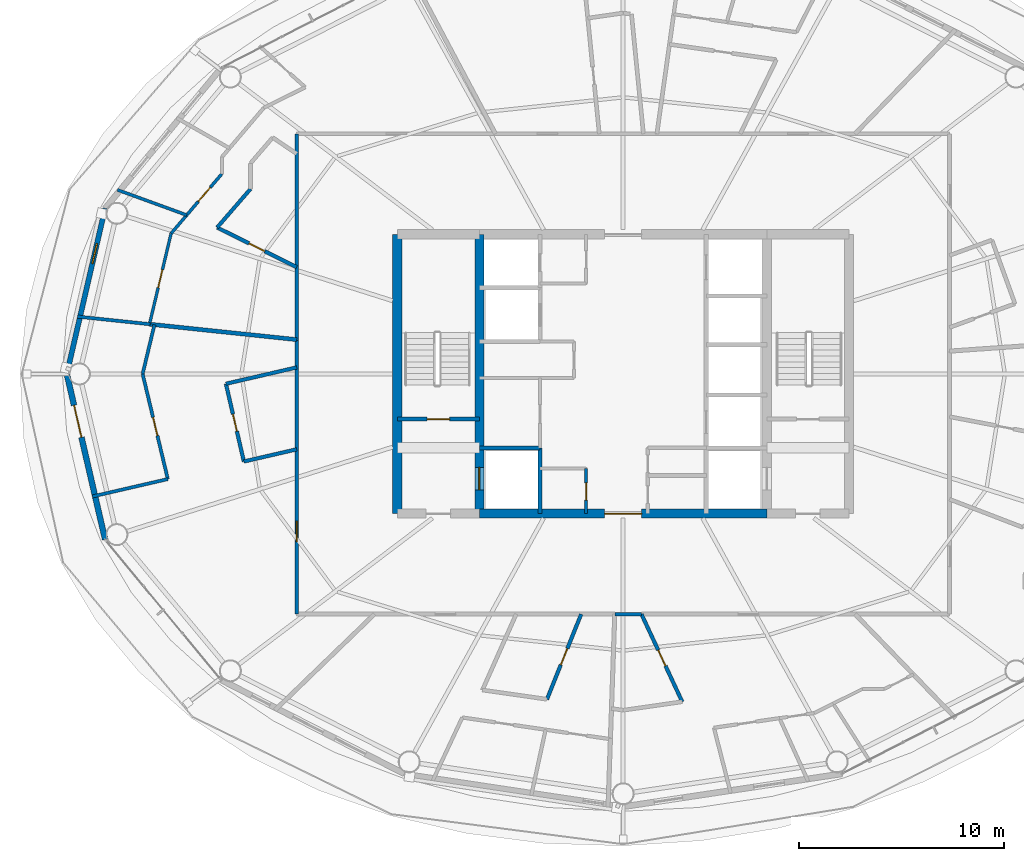
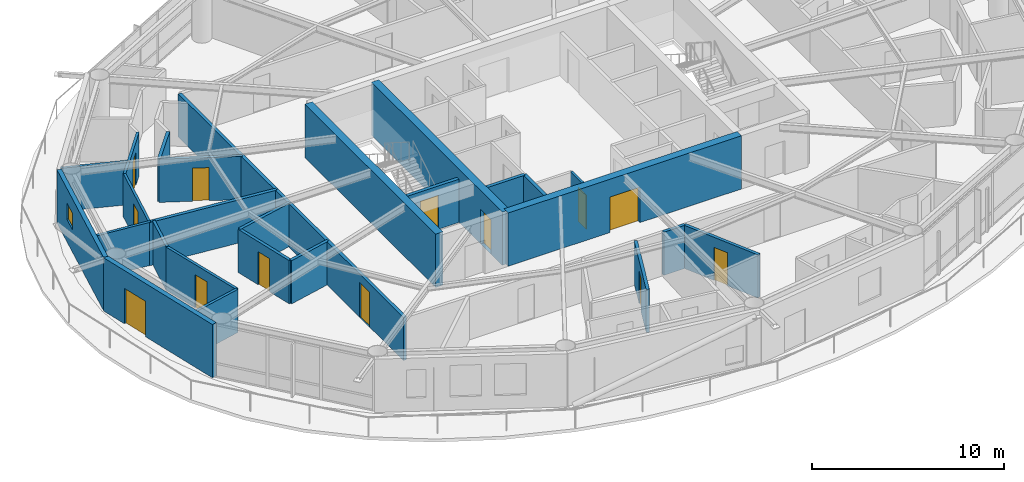
# One storey, part 21 of 28: 27 walls, 13 doors, 1 window, 14 openings.
"""IFC4 building model written with IfcOpenShell, lengths in metres."""

from ifc_helpers import new_model, si_unit, direction, frame, frame_2d, origin, place, context, subcontext, project, spatial, rectangle, extrude, material, layer, layer_set, type_object, element, fill, save


model = new_model("IFC4")

# Units and contexts
model_context = context("Model", 3, precision=1e-05, world=origin(), true_north=direction((0.0, 1.0)))
body_context = subcontext(model_context, "Body", "Model", "MODEL_VIEW")
ifc_project = project(units=[si_unit("LENGTHUNIT", "METRE"), si_unit("AREAUNIT", "SQUARE_METRE"), si_unit("VOLUMEUNIT", "CUBIC_METRE"), si_unit("PLANEANGLEUNIT", "RADIAN"), si_unit("MASSUNIT", "GRAM", prefix="KILO")], contexts=[model_context])

# Site, building, storey
site_placement = place(None, origin())
site = spatial("IfcSite", under=ifc_project, at=site_placement, CompositionType="ELEMENT")
building_placement = place(site_placement, origin())
building = spatial("IfcBuilding", under=site, at=building_placement, Name="Sarneth Arch Tower", CompositionType="ELEMENT")
storey_placement = place(building_placement, frame((0.0, 0.0, 154.199951171875)))
storey = spatial("IfcBuildingStorey", under=building, at=storey_placement, Name="L38", CompositionType="ELEMENT", Elevation=154.199951171875)

# Wall, opening, door
ifc_material_1 = material(Name="Concrete C50/60", Category="concrete")
ifc_layer_1 = layer(ifc_material_1, 0.449951171875)
ifc_layer_set_1 = layer_set([ifc_layer_1], Name="Concrete C50/60")
wall_type_1 = type_object("IfcWallType", Name="WALL-CORE-450", PredefinedType="SHEAR", material=ifc_layer_set_1)
wall_1_placement = place(storey_placement, frame((41.0, 35.199951171875, 0.0), z_axis=(0.0, 0.0, 1.0), x_axis=(1.0, 0.0, 0.0)))
wall_1 = element("IfcWall", 1, at=wall_1_placement, inside=storey, type_object=wall_type_1, Name="L38 Core shear wall S-M", PredefinedType="SHEAR", context=body_context, shape_type="SweptSolid", body=[
    extrude(rectangle(XDim=14.0, YDim=0.449951171875, at=frame_2d((7.0, 0.0))), origin(), (0.0, 0.0, 1.0), 3.380126953125),
])
opening_1_placement = place(wall_1_placement, frame((6.10009765625, 0.0, 0.0)))
opening_1 = element("IfcOpeningElement", 2, at=opening_1_placement, cuts=wall_1, Name="Opening FD-01", PredefinedType="OPENING", context=body_context, shape_type="SweptSolid", body=[
    extrude(rectangle(XDim=1.800048828125, YDim=2.25, at=frame_2d((0.89990234375, 1.125))), frame((0.0, 0.23486328125, 0.0), z_axis=(0.0, -1.0, 0.0), x_axis=(1.0, 0.0, 0.0)), (0.0, 0.0, 1.0), 0.469970703125),
])
ifc_material_2 = material(Name="Galvanised Steel S275 fire door set", Category="steel")
door_type_1 = type_object("IfcDoorType", Name="DR-FD90-1800", OperationType="DOUBLE_DOOR_SINGLE_SWING", PredefinedType="DOOR", material=ifc_material_2)
door_1_placement = place(opening_1_placement, origin())
door_1 = element("IfcDoor", 3, at=door_1_placement, inside=storey, type_object=door_type_1, Name="L38 Central lift lobby south door", OperationType="DOUBLE_DOOR_SINGLE_SWING", OverallHeight=2.25, OverallWidth=1.800048828125, PredefinedType="DOOR", context=body_context, shape_type="SweptSolid", body=[
    extrude(rectangle(XDim=1.800048828125, YDim=2.25, at=frame_2d((0.89990234375, 1.125))), frame((0.0, 0.02490234375, 0.0), z_axis=(0.0, -1.0, 0.0), x_axis=(1.0, 0.0, 0.0)), (0.0, 0.0, 1.0), 0.050048828125),
])
fill(opening_1, door_1)

# Wall
wall_2_placement = place(storey_placement, frame((37.0, 35.199951171875, 0.0), z_axis=(0.0, 0.0, 1.0), x_axis=(0.0, 1.0, 0.0)))
element("IfcWall", 4, at=wall_2_placement, inside=storey, type_object=wall_type_1, Name="L38 Core shear wall W", PredefinedType="SHEAR", context=body_context, shape_type="SweptSolid", body=[
    extrude(rectangle(XDim=13.60009765625, YDim=0.449951171875, at=frame_2d((6.800048828125, 0.0))), origin(), (0.0, 0.0, 1.0), 3.380126953125),
])

# Wall, opening, door
wall_3_placement = place(storey_placement, frame((41.0, 35.199951171875, 0.0), z_axis=(0.0, 0.0, 1.0), x_axis=(0.0, 1.0, 0.0)))
wall_3 = element("IfcWall", 5, at=wall_3_placement, inside=storey, type_object=wall_type_1, Name="L38 Core shear wall WEB-W", PredefinedType="SHEAR", context=body_context, shape_type="SweptSolid", body=[
    extrude(rectangle(XDim=13.60009765625, YDim=0.449951171875, at=frame_2d((6.800048828125, 0.0))), origin(), (0.0, 0.0, 1.0), 3.380126953125),
])
opening_2_placement = place(wall_3_placement, frame((1.14990234375, 0.0, 0.0)))
opening_2 = element("IfcOpeningElement", 6, at=opening_2_placement, cuts=wall_3, Name="Opening LD-1", PredefinedType="OPENING", context=body_context, shape_type="SweptSolid", body=[
    extrude(rectangle(XDim=1.10009765625, YDim=2.199951171875, at=frame_2d((0.550048828125, 1.10009765625))), frame((0.0, 0.23486328125, 0.0), z_axis=(0.0, -1.0, 0.0), x_axis=(1.0, 0.0, 0.0)), (0.0, 0.0, 1.0), 0.469970703125),
])
ifc_material_3 = material(Name="Brushed Stainless Steel 304 lift landing door", Category="steel")
door_type_2 = type_object("IfcDoorType", Name="DR-LIFT-SLIDE-1100", OperationType="SLIDING_TO_LEFT", PredefinedType="DOOR", material=ifc_material_3)
door_2_placement = place(opening_2_placement, origin())
door_2 = element("IfcDoor", 7, at=door_2_placement, inside=storey, type_object=door_type_2, Name="L38 Firefighting lift landing door FL-1", OperationType="SLIDING_TO_LEFT", OverallHeight=2.199951171875, OverallWidth=1.10009765625, PredefinedType="DOOR", context=body_context, shape_type="SweptSolid", body=[
    extrude(rectangle(XDim=1.10009765625, YDim=2.199951171875, at=frame_2d((0.550048828125, 1.10009765625))), frame((0.0, 0.02490234375, 0.0), z_axis=(0.0, -1.0, 0.0), x_axis=(1.0, 0.0, 0.0)), (0.0, 0.0, 1.0), 0.050048828125),
])
fill(opening_2, door_2)

ifc_material_4 = material(Name="Double steel-stud corridor fire wall", Category="steel")
ifc_layer_2 = layer(ifc_material_4, 0.18994140625)
ifc_layer_set_2 = layer_set([ifc_layer_2], Name="Double steel-stud corridor fire wall")
wall_type_2 = type_object("IfcWallType", Name="WALL-CORR-190", PredefinedType="PARTITIONING", material=ifc_layer_set_2)
wall_4_placement = place(storey_placement, frame((32.10009765625, 30.300048828125, 0.0), z_axis=(0.0, 0.0, 1.0), x_axis=(0.0, 1.0, 0.0)))
wall_4 = element("IfcWall", 8, at=wall_4_placement, inside=storey, type_object=wall_type_2, Name="L38 Interior partition W-L38-TP-015", PredefinedType="PARTITIONING", context=body_context, shape_type="SweptSolid", body=[
    extrude(rectangle(XDim=13.4033203125, YDim=0.18994140625, at=frame_2d((6.70166015625, 0.0))), origin(), (0.0, 0.0, 1.0), 2.739990234375),
])
opening_3_placement = place(wall_4_placement, frame((3.531005859375, 0.0, 0.0)))
opening_3 = element("IfcOpeningElement", 9, at=opening_3_placement, cuts=wall_4, Name="Opening FD-08", PredefinedType="OPENING", context=body_context, shape_type="SweptSolid", body=[
    extrude(rectangle(XDim=1.0, YDim=2.199951171875, at=frame_2d((0.5, 1.10009765625))), frame((0.0, 0.10498046875, 0.0), z_axis=(0.0, -1.0, 0.0), x_axis=(1.0, 0.0, 0.0)), (0.0, 0.0, 1.0), 0.2099609375),
])
ifc_material_5 = material(Name="Hardwood timber acoustic fire door", Category="wood")
door_type_3 = type_object("IfcDoorType", Name="DR-FD60-1000", OperationType="SINGLE_SWING_LEFT", PredefinedType="DOOR", material=ifc_material_5)
door_3_placement = place(opening_3_placement, origin())
door_3 = element("IfcDoor", 10, at=door_3_placement, inside=storey, type_object=door_type_3, Name="L38 Interior door DR-L38-U5-ENT", OperationType="SINGLE_SWING_RIGHT", OverallHeight=2.199951171875, OverallWidth=1.0, PredefinedType="DOOR", context=body_context, shape_type="SweptSolid", body=[
    extrude(rectangle(XDim=1.0, YDim=2.199951171875, at=frame_2d((0.5, 1.10009765625))), frame((0.0, 0.02490234375, 0.0), z_axis=(0.0, -1.0, 0.0), x_axis=(1.0, 0.0, 0.0)), (0.0, 0.0, 1.0), 0.050048828125),
])
fill(opening_3, door_3)

# Wall
wall_5_placement = place(storey_placement, frame((32.10009765625, 43.638916015625, 0.0), z_axis=(0.0, 0.0, 1.0), x_axis=(0.0, 1.0, 0.0)))
element("IfcWall", 11, at=wall_5_placement, inside=storey, type_object=wall_type_2, Name="L38 Interior partition W-L38-TP-013", PredefinedType="PARTITIONING", context=body_context, shape_type="SweptSolid", body=[
    extrude(rectangle(XDim=10.06103515625, YDim=0.18994140625, at=frame_2d((5.030517578125, 0.0))), origin(), (0.0, 0.0, 1.0), 2.739990234375),
])

# Wall, opening, window
ifc_material_6 = material(Name="Extruded terracotta rainscreen on Concrete C40/50 backing", Category="masonry")
ifc_layer_3 = layer(ifc_material_6, 0.25)
ifc_layer_set_3 = layer_set([ifc_layer_3], Name="Extruded terracotta rainscreen on Concrete C40/50 backing")
wall_type_3 = type_object("IfcWallType", Name="WALL-EXT-SPAND-250", PredefinedType="SOLIDWALL", material=ifc_layer_set_3)
wall_6_placement = place(storey_placement, frame((22.767578125, 50.06689453125, 0.0), z_axis=(0.0, 0.0, 1.0), x_axis=(-0.225473184558, -0.974249374157, 0.0)))
wall_6 = element("IfcWall", 12, at=wall_6_placement, inside=storey, type_object=wall_type_3, Name="L38 Terracotta perimeter wall 08", PredefinedType="SOLIDWALL", context=body_context, shape_type="SweptSolid", body=[
    extrude(rectangle(XDim=8.280029296875, YDim=0.25, at=frame_2d((4.14013671875, 0.0))), origin(), (0.0, 0.0, 1.0), 3.380126953125),
])
opening_4_placement = place(wall_6_placement, frame((1.764404296875, 0.0, 1.419921875)))
opening_4 = element("IfcOpeningElement", 13, at=opening_4_placement, cuts=wall_6, Name="Opening W-14", PredefinedType="OPENING", context=body_context, shape_type="SweptSolid", body=[
    extrude(rectangle(XDim=1.0, YDim=1.050048828125, at=frame_2d((0.5, 0.52490234375))), frame((0.0, 0.135009765625, 0.0), z_axis=(0.0, -1.0, 0.0), x_axis=(1.0, 0.0, 0.0)), (0.0, 0.0, 1.0), 0.27001953125),
])
ifc_material_7 = material(Name="Thermally broken Aluminium 6063-T6 and low-e laminated IGU", Category="aluminium")
window_type = type_object("IfcWindowType", Name="WIN-TWR-1000x1050", PartitioningType="SINGLE_PANEL", PredefinedType="WINDOW", material=ifc_material_7)
window_placement = place(opening_4_placement, origin())
window = element("IfcWindow", 14, at=window_placement, inside=storey, type_object=window_type, Name="L38 Dwelling bedroom window 02", OverallHeight=1.050048828125, OverallWidth=1.0, PartitioningType="SINGLE_PANEL", PredefinedType="WINDOW", context=body_context, shape_type="SweptSolid", body=[
    extrude(rectangle(XDim=1.0, YDim=1.050048828125, at=frame_2d((0.5, 0.52490234375))), frame((0.0, 0.030029296875, 0.0), z_axis=(0.0, -1.0, 0.0), x_axis=(1.0, 0.0, 0.0)), (0.0, 0.0, 1.0), 0.06005859375),
])
fill(opening_4, window)

# Wall, opening, door
ifc_material_8 = material(Name="Extruded terracotta rainscreen on Concrete C40/50 backing", Category="masonry")
ifc_layer_4 = layer(ifc_material_8, 0.280029296875)
ifc_layer_set_4 = layer_set([ifc_layer_4], Name="Extruded terracotta rainscreen on Concrete C40/50 backing")
wall_type_4 = type_object("IfcWallType", Name="WALL-EXT-TERRA-280", PredefinedType="SOLIDWALL", material=ifc_layer_set_4)
wall_7_placement = place(storey_placement, frame((20.900634765625, 42.0, 0.0), z_axis=(0.0, 0.0, 1.0), x_axis=(0.225473184558, -0.974249374157, 0.0)))
wall_7 = element("IfcWall", 15, at=wall_7_placement, inside=storey, type_object=wall_type_4, Name="L38 Terracotta perimeter wall 09", PredefinedType="SOLIDWALL", context=body_context, shape_type="SweptSolid", body=[
    extrude(rectangle(XDim=8.280029296875, YDim=0.280029296875, at=frame_2d((4.14013671875, 0.0))), origin(), (0.0, 0.0, 1.0), 3.380126953125),
])
opening_5_placement = place(wall_7_placement, frame((1.568115234375, 0.0, 0.0)))
opening_5 = element("IfcOpeningElement", 16, at=opening_5_placement, cuts=wall_7, Name="Opening BD-1", PredefinedType="OPENING", context=body_context, shape_type="SweptSolid", body=[
    extrude(rectangle(XDim=1.60009765625, YDim=2.25, at=frame_2d((0.800048828125, 1.125))), frame((0.0, 0.14990234375, 0.0), z_axis=(0.0, -1.0, 0.0), x_axis=(1.0, 0.0, 0.0)), (0.0, 0.0, 1.0), 0.300048828125),
])
ifc_material_9 = material(Name="Thermally broken Aluminium 6063-T6 and laminated safety glass", Category="aluminium")
door_type_4 = type_object("IfcDoorType", Name="DR-BALC-GLZ-1600", OperationType="DOUBLE_DOOR_SINGLE_SWING", PredefinedType="DOOR", material=ifc_material_9)
door_4_placement = place(opening_5_placement, origin())
door_4 = element("IfcDoor", 17, at=door_4_placement, inside=storey, type_object=door_type_4, Name="L38 Balcony glazed door 09", OperationType="DOUBLE_DOOR_SINGLE_SWING", OverallHeight=2.25, OverallWidth=1.60009765625, PredefinedType="DOOR", context=body_context, shape_type="SweptSolid", body=[
    extrude(rectangle(XDim=1.60009765625, YDim=2.25, at=frame_2d((0.800048828125, 1.125))), frame((0.0, 0.02490234375, 0.0), z_axis=(0.0, -1.0, 0.0), x_axis=(1.0, 0.0, 0.0)), (0.0, 0.0, 1.0), 0.050048828125),
])
fill(opening_5, door_4)

ifc_material_10 = material(Name="Apartment internal stud partition", Category="gypsum")
ifc_layer_5 = layer(ifc_material_10, 0.139892578125)
ifc_layer_set_5 = layer_set([ifc_layer_5], Name="Apartment internal stud partition")
wall_type_5 = type_object("IfcWallType", Name="WALL-PART-140", PredefinedType="PARTITIONING", material=ifc_layer_set_5)
wall_8_placement = place(storey_placement, frame((24.9287109375, 44.4248046875, 0.0), z_axis=(0.0, 0.0, 1.0), x_axis=(0.23166656053, 0.972795253243, 0.0)))
wall_8 = element("IfcWall", 18, at=wall_8_placement, inside=storey, type_object=wall_type_5, Name="L38 Interior partition W-L38-TP-063", PredefinedType="PARTITIONING", context=body_context, shape_type="SweptSolid", body=[
    extrude(rectangle(XDim=4.541015625, YDim=0.139892578125, at=frame_2d((2.2705078125, 0.0))), origin(), (0.0, 0.0, 1.0), 2.739990234375),
])
opening_6_placement = place(wall_8_placement, frame((1.820556640625, 0.0, 0.0)))
opening_6 = element("IfcOpeningElement", 19, at=opening_6_placement, cuts=wall_8, Name="Opening ID-01", PredefinedType="OPENING", context=body_context, shape_type="SweptSolid", body=[
    extrude(rectangle(XDim=0.89990234375, YDim=2.10009765625, at=frame_2d((0.449951171875, 1.050048828125))), frame((0.0, 0.079833984375, 0.0), z_axis=(0.0, -1.0, 0.0), x_axis=(1.0, 0.0, 0.0)), (0.0, 0.0, 1.0), 0.159912109375),
])
ifc_material_11 = material(Name="Engineered hardwood flush door", Category="wood")
door_type_5 = type_object("IfcDoorType", Name="DR-INT-900", OperationType="SINGLE_SWING_LEFT", PredefinedType="DOOR", material=ifc_material_11)
door_5_placement = place(opening_6_placement, origin())
door_5 = element("IfcDoor", 20, at=door_5_placement, inside=storey, type_object=door_type_5, Name="L38 Interior door DR-L38-U4-BED2", OperationType="SINGLE_SWING_LEFT", OverallHeight=2.10009765625, OverallWidth=0.89990234375, PredefinedType="DOOR", context=body_context, shape_type="SweptSolid", body=[
    extrude(rectangle(XDim=0.89990234375, YDim=2.10009765625, at=frame_2d((0.449951171875, 1.050048828125))), frame((0.0, 0.02490234375, 0.0), z_axis=(0.0, -1.0, 0.0), x_axis=(1.0, 0.0, 0.0)), (0.0, 0.0, 1.0), 0.050048828125),
])
fill(opening_6, door_5)

ifc_material_12 = material(Name="Acoustic gypsum stud partition", Category="gypsum")
ifc_layer_6 = layer(ifc_material_12, 0.14990234375)
ifc_layer_set_6 = layer_set([ifc_layer_6], Name="Acoustic gypsum stud partition")
wall_type_6 = type_object("IfcWallType", Name="WALL-PART-150", PredefinedType="PARTITIONING", material=ifc_layer_set_6)
wall_9_placement = place(storey_placement, frame((46.199951171875, 35.199951171875, 0.0), z_axis=(0.0, 0.0, 1.0), x_axis=(0.0, 1.0, 0.0)))
wall_9 = element("IfcWall", 21, at=wall_9_placement, inside=storey, type_object=wall_type_6, Name="L38 Interior partition W-L38-CSUP1-E", PredefinedType="PARTITIONING", context=body_context, shape_type="SweptSolid", body=[
    extrude(rectangle(XDim=2.199951171875, YDim=0.14990234375, at=frame_2d((1.10009765625, 0.0))), origin(), (0.0, 0.0, 1.0), 2.739990234375),
])
opening_7_placement = place(wall_9_placement, frame((0.64990234375, 0.0, 0.0)))
opening_7 = element("IfcOpeningElement", 22, at=opening_7_placement, cuts=wall_9, Name="Opening FD-11", PredefinedType="OPENING", context=body_context, shape_type="SweptSolid", body=[
    extrude(rectangle(XDim=0.85009765625, YDim=2.14990234375, at=frame_2d((0.425048828125, 1.074951171875))), frame((0.0, 0.0849609375, 0.0), z_axis=(0.0, -1.0, 0.0), x_axis=(1.0, 0.0, 0.0)), (0.0, 0.0, 1.0), 0.169921875),
])
ifc_material_13 = material(Name="Galvanised Steel S275 closet fire door", Category="steel")
door_type_6 = type_object("IfcDoorType", Name="DR-FD60-850", OperationType="SINGLE_SWING_LEFT", PredefinedType="DOOR", material=ifc_material_13)
door_6_placement = place(opening_7_placement, origin())
door_6 = element("IfcDoor", 23, at=door_6_placement, inside=storey, type_object=door_type_6, Name="L38 Interior door DR-L38-CSUP1", OperationType="SINGLE_SWING_LEFT", OverallHeight=2.14990234375, OverallWidth=0.85009765625, PredefinedType="DOOR", context=body_context, shape_type="SweptSolid", body=[
    extrude(rectangle(XDim=0.85009765625, YDim=2.14990234375, at=frame_2d((0.425048828125, 1.074951171875))), frame((0.0, 0.02490234375, 0.0), z_axis=(0.0, -1.0, 0.0), x_axis=(1.0, 0.0, 0.0)), (0.0, 0.0, 1.0), 0.050048828125),
])
fill(opening_7, door_6)

# Wall
wall_10_placement = place(storey_placement, frame((26.741943359375, 49.7373046875, 0.0), z_axis=(0.0, 0.0, 1.0), x_axis=(-0.939702146374, 0.341993970854, 0.0)))
element("IfcWall", 24, at=wall_10_placement, inside=storey, type_object=wall_type_6, Name="L38 Interior partition W-L38-TP-068", PredefinedType="PARTITIONING", context=body_context, shape_type="SweptSolid", body=[
    extrude(rectangle(XDim=3.59375, YDim=0.14990234375, at=frame_2d((1.796875, 0.0))), origin(), (0.0, 0.0, 1.0), 2.739990234375),
])

# Wall, opening, door
wall_11_placement = place(storey_placement, frame((28.449951171875, 51.744384765625, 0.0), z_axis=(0.0, 0.0, 1.0), x_axis=(-0.648090958091, -0.761562938988, 0.0)))
wall_11 = element("IfcWall", 25, at=wall_11_placement, inside=storey, type_object=wall_type_6, Name="L38 Interior partition W-L38-TP-062", PredefinedType="PARTITIONING", context=body_context, shape_type="SweptSolid", body=[
    extrude(rectangle(XDim=3.810302734375, YDim=0.14990234375, at=frame_2d((1.9052734375, 0.0))), origin(), (0.0, 0.0, 1.0), 2.739990234375),
])
opening_8_placement = place(wall_11_placement, frame((0.86767578125, 0.0, 0.0)))
opening_8 = element("IfcOpeningElement", 26, at=opening_8_placement, cuts=wall_11, Name="Opening ID-01", PredefinedType="OPENING", context=body_context, shape_type="SweptSolid", body=[
    extrude(rectangle(XDim=0.89990234375, YDim=2.10009765625, at=frame_2d((0.449951171875, 1.050048828125))), frame((0.0, 0.0849609375, 0.0), z_axis=(0.0, -1.0, 0.0), x_axis=(1.0, 0.0, 0.0)), (0.0, 0.0, 1.0), 0.169921875),
])
door_7_placement = place(opening_8_placement, origin())
door_7 = element("IfcDoor", 27, at=door_7_placement, inside=storey, type_object=door_type_5, Name="L38 Interior door DR-L38-U4-BED1", OperationType="SINGLE_SWING_RIGHT", OverallHeight=2.10009765625, OverallWidth=0.89990234375, PredefinedType="DOOR", context=body_context, shape_type="SweptSolid", body=[
    extrude(rectangle(XDim=0.89990234375, YDim=2.10009765625, at=frame_2d((0.449951171875, 1.050048828125))), frame((0.0, 0.02490234375, 0.0), z_axis=(0.0, -1.0, 0.0), x_axis=(1.0, 0.0, 0.0)), (0.0, 0.0, 1.0), 0.050048828125),
])
fill(opening_8, door_7)

ifc_material_14 = material(Name="Kitchen wet service chase wall", Category="gypsum")
ifc_layer_7 = layer(ifc_material_14, 0.159912109375)
ifc_layer_set_7 = layer_set([ifc_layer_7], Name="Kitchen wet service chase wall")
wall_type_7 = type_object("IfcWallType", Name="WALL-PLUMB-160", PredefinedType="PLUMBINGWALL", material=ifc_layer_set_7)
wall_12_placement = place(storey_placement, frame((24.59423828125, 42.0, 0.0), z_axis=(0.0, 0.0, 1.0), x_axis=(0.233087094169, -0.972455863539, 0.0)))
wall_12 = element("IfcWall", 28, at=wall_12_placement, inside=storey, type_object=wall_type_7, Name="L38 Interior partition W-L38-TP-074", PredefinedType="PLUMBINGWALL", context=body_context, shape_type="SweptSolid", body=[
    extrude(rectangle(XDim=5.265380859375, YDim=0.159912109375, at=frame_2d((2.6328125, 0.0))), origin(), (0.0, 0.0, 1.0), 2.739990234375),
])
opening_9_placement = place(wall_12_placement, frame((2.1826171875, 0.0, 0.0)))
opening_9 = element("IfcOpeningElement", 29, at=opening_9_placement, cuts=wall_12, Name="Opening ID-01", PredefinedType="OPENING", context=body_context, shape_type="SweptSolid", body=[
    extrude(rectangle(XDim=0.89990234375, YDim=2.10009765625, at=frame_2d((0.449951171875, 1.050048828125))), frame((0.0, 0.08984375, 0.0), z_axis=(0.0, -1.0, 0.0), x_axis=(1.0, 0.0, 0.0)), (0.0, 0.0, 1.0), 0.179931640625),
])
door_8_placement = place(opening_9_placement, origin())
door_8 = element("IfcDoor", 30, at=door_8_placement, inside=storey, type_object=door_type_5, Name="L38 Interior door DR-L38-U5-KIT", OperationType="SINGLE_SWING_LEFT", OverallHeight=2.10009765625, OverallWidth=0.89990234375, PredefinedType="DOOR", context=body_context, shape_type="SweptSolid", body=[
    extrude(rectangle(XDim=0.89990234375, YDim=2.10009765625, at=frame_2d((0.449951171875, 1.050048828125))), frame((0.0, 0.02490234375, 0.0), z_axis=(0.0, -1.0, 0.0), x_axis=(1.0, 0.0, 0.0)), (0.0, 0.0, 1.0), 0.050048828125),
])
fill(opening_9, door_8)

# Walls
wall_13_placement = place(storey_placement, frame((25.821533203125, 36.879638671875, 0.0), z_axis=(0.0, 0.0, 1.0), x_axis=(-0.97437258695, -0.22494012937, 0.0)))
element("IfcWall", 31, at=wall_13_placement, inside=storey, type_object=wall_type_7, Name="L38 Interior partition W-L38-TP-075", PredefinedType="PLUMBINGWALL", context=body_context, shape_type="SweptSolid", body=[
    extrude(rectangle(XDim=3.759765625, YDim=0.159912109375, at=frame_2d((1.8798828125, 0.0))), origin(), (0.0, 0.0, 1.0), 2.739990234375),
])
wall_14_placement = place(storey_placement, frame((21.4248046875, 44.793212890625, 0.0), z_axis=(0.0, 0.0, 1.0), x_axis=(0.994516359121, -0.104581123727, 0.0)))
element("IfcWall", 32, at=wall_14_placement, inside=storey, type_object=wall_type_7, Name="L38 Interior partition W-L38-TP-069", PredefinedType="PLUMBINGWALL", context=body_context, shape_type="SweptSolid", body=[
    extrude(rectangle(XDim=3.555419921875, YDim=0.159912109375, at=frame_2d((1.77783203125, 0.0))), origin(), (0.0, 0.0, 1.0), 2.739990234375),
])
wall_15_placement = place(storey_placement, frame((25.16943359375, 44.399658203125, 0.0), z_axis=(0.0, 0.0, 1.0), x_axis=(-0.233096038601, -0.972453719613, 0.0)))
element("IfcWall", 33, at=wall_15_placement, inside=storey, type_object=wall_type_7, Name="L38 Interior partition W-L38-TP-073", PredefinedType="PLUMBINGWALL", context=body_context, shape_type="SweptSolid", body=[
    extrude(rectangle(XDim=2.467529296875, YDim=0.159912109375, at=frame_2d((1.23388671875, 0.0))), origin(), (0.0, 0.0, 1.0), 2.739990234375),
])

# Wall, opening, door
ifc_material_15 = material(Name="Moisture-resistant plumbing chase wall", Category="gypsum")
ifc_layer_8 = layer(ifc_material_15, 0.179931640625)
ifc_layer_set_8 = layer_set([ifc_layer_8], Name="Moisture-resistant plumbing chase wall")
wall_type_8 = type_object("IfcWallType", Name="WALL-PLUMB-180", PredefinedType="PLUMBINGWALL", material=ifc_layer_set_8)
wall_16_placement = place(storey_placement, frame((48.89111328125, 30.300048828125, 0.0), z_axis=(0.0, 0.0, 1.0), x_axis=(0.421928127284, -0.906629282235, 0.0)))
wall_16 = element("IfcWall", 34, at=wall_16_placement, inside=storey, type_object=wall_type_8, Name="L38 Interior partition W-L38-TP-089", PredefinedType="PLUMBINGWALL", context=body_context, shape_type="SweptSolid", body=[
    extrude(rectangle(XDim=4.7060546875, YDim=0.179931640625, at=frame_2d((2.35302734375, 0.0))), origin(), (0.0, 0.0, 1.0), 2.739990234375),
])
opening_10_placement = place(wall_16_placement, frame((1.927978515625, 0.0, 0.0)))
opening_10 = element("IfcOpeningElement", 35, at=opening_10_placement, cuts=wall_16, Name="Opening ID-02", PredefinedType="OPENING", context=body_context, shape_type="SweptSolid", body=[
    extrude(rectangle(XDim=0.85009765625, YDim=2.10009765625, at=frame_2d((0.425048828125, 1.050048828125))), frame((0.0, 0.099853515625, 0.0), z_axis=(0.0, -1.0, 0.0), x_axis=(1.0, 0.0, 0.0)), (0.0, 0.0, 1.0), 0.199951171875),
])
ifc_material_16 = material(Name="Moisture-resistant bathroom timber door", Category="wood")
door_type_7 = type_object("IfcDoorType", Name="DR-INT-850", OperationType="SINGLE_SWING_RIGHT", PredefinedType="DOOR", material=ifc_material_16)
door_9_placement = place(opening_10_placement, origin())
door_9 = element("IfcDoor", 36, at=door_9_placement, inside=storey, type_object=door_type_7, Name="L38 Interior door DR-L38-U7-BATH", OperationType="SINGLE_SWING_LEFT", OverallHeight=2.10009765625, OverallWidth=0.85009765625, PredefinedType="DOOR", context=body_context, shape_type="SweptSolid", body=[
    extrude(rectangle(XDim=0.85009765625, YDim=2.10009765625, at=frame_2d((0.425048828125, 1.050048828125))), frame((0.0, 0.02490234375, 0.0), z_axis=(0.0, -1.0, 0.0), x_axis=(1.0, 0.0, 0.0)), (0.0, 0.0, 1.0), 0.050048828125),
])
fill(opening_10, door_9)

wall_17_placement = place(storey_placement, frame((44.288330078125, 26.153564453125, 0.0), z_axis=(0.0, 0.0, 1.0), x_axis=(0.373292277378, 0.927713789727, 0.0)))
wall_17 = element("IfcWall", 37, at=wall_17_placement, inside=storey, type_object=wall_type_8, Name="L38 Interior partition W-L38-TP-081", PredefinedType="PLUMBINGWALL", context=body_context, shape_type="SweptSolid", body=[
    extrude(rectangle(XDim=4.469482421875, YDim=0.179931640625, at=frame_2d((2.23486328125, 0.0))), origin(), (0.0, 0.0, 1.0), 2.739990234375),
])
opening_11_placement = place(wall_17_placement, frame((1.809814453125, 0.0, 0.0)))
opening_11 = element("IfcOpeningElement", 38, at=opening_11_placement, cuts=wall_17, Name="Opening ID-02", PredefinedType="OPENING", context=body_context, shape_type="SweptSolid", body=[
    extrude(rectangle(XDim=0.85009765625, YDim=2.10009765625, at=frame_2d((0.425048828125, 1.050048828125))), frame((0.0, 0.099853515625, 0.0), z_axis=(0.0, -1.0, 0.0), x_axis=(1.0, 0.0, 0.0)), (0.0, 0.0, 1.0), 0.199951171875),
])
door_10_placement = place(opening_11_placement, origin())
door_10 = element("IfcDoor", 39, at=door_10_placement, inside=storey, type_object=door_type_7, Name="L38 Interior door DR-L38-U6-BATH", OperationType="SINGLE_SWING_LEFT", OverallHeight=2.10009765625, OverallWidth=0.85009765625, PredefinedType="DOOR", context=body_context, shape_type="SweptSolid", body=[
    extrude(rectangle(XDim=0.85009765625, YDim=2.10009765625, at=frame_2d((0.425048828125, 1.050048828125))), frame((0.0, 0.02490234375, 0.0), z_axis=(0.0, -1.0, 0.0), x_axis=(1.0, 0.0, 0.0)), (0.0, 0.0, 1.0), 0.050048828125),
])
fill(opening_11, door_10)

wall_18_placement = place(storey_placement, frame((32.10009765625, 47.198974609375, 0.0), z_axis=(0.0, 0.0, 1.0), x_axis=(-0.89485499518, 0.446356962084, 0.0)))
wall_18 = element("IfcWall", 40, at=wall_18_placement, inside=storey, type_object=wall_type_8, Name="L38 Interior partition W-L38-TP-055", PredefinedType="PLUMBINGWALL", context=body_context, shape_type="SweptSolid", body=[
    extrude(rectangle(XDim=4.3330078125, YDim=0.179931640625, at=frame_2d((2.16650390625, 0.0))), origin(), (0.0, 0.0, 1.0), 2.739990234375),
])
opening_12_placement = place(wall_18_placement, frame((1.741455078125, 0.0, 0.0)))
opening_12 = element("IfcOpeningElement", 41, at=opening_12_placement, cuts=wall_18, Name="Opening ID-02", PredefinedType="OPENING", context=body_context, shape_type="SweptSolid", body=[
    extrude(rectangle(XDim=0.85009765625, YDim=2.10009765625, at=frame_2d((0.425048828125, 1.050048828125))), frame((0.0, 0.099853515625, 0.0), z_axis=(0.0, -1.0, 0.0), x_axis=(1.0, 0.0, 0.0)), (0.0, 0.0, 1.0), 0.199951171875),
])
door_11_placement = place(opening_12_placement, origin())
door_11 = element("IfcDoor", 42, at=door_11_placement, inside=storey, type_object=door_type_7, Name="L38 Interior door DR-L38-U4-BATH", OperationType="SINGLE_SWING_LEFT", OverallHeight=2.10009765625, OverallWidth=0.85009765625, PredefinedType="DOOR", context=body_context, shape_type="SweptSolid", body=[
    extrude(rectangle(XDim=0.85009765625, YDim=2.10009765625, at=frame_2d((0.425048828125, 1.050048828125))), frame((0.0, 0.02490234375, 0.0), z_axis=(0.0, -1.0, 0.0), x_axis=(1.0, 0.0, 0.0)), (0.0, 0.0, 1.0), 0.050048828125),
])
fill(opening_12, door_11)

wall_19_placement = place(storey_placement, frame((28.651611328125, 41.521728515625, 0.0), z_axis=(0.0, 0.0, 1.0), x_axis=(0.224891621851, -0.974383783948, 0.0)))
wall_19 = element("IfcWall", 43, at=wall_19_placement, inside=storey, type_object=wall_type_8, Name="L38 Interior partition W-L38-TP-071", PredefinedType="PLUMBINGWALL", context=body_context, shape_type="SweptSolid", body=[
    extrude(rectangle(XDim=3.886474609375, YDim=0.179931640625, at=frame_2d((1.943359375, 0.0))), origin(), (0.0, 0.0, 1.0), 2.739990234375),
])
opening_13_placement = place(wall_19_placement, frame((1.518310546875, 0.0, 0.0)))
opening_13 = element("IfcOpeningElement", 44, at=opening_13_placement, cuts=wall_19, Name="Opening ID-02", PredefinedType="OPENING", context=body_context, shape_type="SweptSolid", body=[
    extrude(rectangle(XDim=0.85009765625, YDim=2.10009765625, at=frame_2d((0.425048828125, 1.050048828125))), frame((0.0, 0.099853515625, 0.0), z_axis=(0.0, -1.0, 0.0), x_axis=(1.0, 0.0, 0.0)), (0.0, 0.0, 1.0), 0.199951171875),
])
door_12_placement = place(opening_13_placement, origin())
door_12 = element("IfcDoor", 45, at=door_12_placement, inside=storey, type_object=door_type_7, Name="L38 Interior door DR-L38-U5-BATH", OperationType="SINGLE_SWING_RIGHT", OverallHeight=2.10009765625, OverallWidth=0.85009765625, PredefinedType="DOOR", context=body_context, shape_type="SweptSolid", body=[
    extrude(rectangle(XDim=0.85009765625, YDim=2.10009765625, at=frame_2d((0.425048828125, 1.050048828125))), frame((0.0, 0.02490234375, 0.0), z_axis=(0.0, -1.0, 0.0), x_axis=(1.0, 0.0, 0.0)), (0.0, 0.0, 1.0), 0.050048828125),
])
fill(opening_13, door_12)

# Walls
wall_20_placement = place(storey_placement, frame((32.10009765625, 42.31787109375, 0.0), z_axis=(0.0, 0.0, 1.0), x_axis=(-0.974370264362, -0.224950189882, 0.0)))
element("IfcWall", 46, at=wall_20_placement, inside=storey, type_object=wall_type_8, Name="L38 Interior partition W-L38-TP-070", PredefinedType="PLUMBINGWALL", context=body_context, shape_type="SweptSolid", body=[
    extrude(rectangle(XDim=3.539306640625, YDim=0.179931640625, at=frame_2d((1.76953125, 0.0))), origin(), (0.0, 0.0, 1.0), 2.739990234375),
])
wall_21_placement = place(storey_placement, frame((29.525634765625, 37.73486328125, 0.0), z_axis=(0.0, 0.0, 1.0), x_axis=(0.974380293177, 0.224906745718, 0.0)))
element("IfcWall", 47, at=wall_21_placement, inside=storey, type_object=wall_type_8, Name="L38 Interior partition W-L38-TP-072", PredefinedType="PLUMBINGWALL", context=body_context, shape_type="SweptSolid", body=[
    extrude(rectangle(XDim=2.64208984375, YDim=0.179931640625, at=frame_2d((1.321044921875, 0.0))), origin(), (0.0, 0.0, 1.0), 2.739990234375),
])
wall_22_placement = place(storey_placement, frame((28.22265625, 49.133056640625, 0.0), z_axis=(0.0, 0.0, 1.0), x_axis=(0.654567839364, 0.756003269616, 0.0)))
element("IfcWall", 48, at=wall_22_placement, inside=storey, type_object=wall_type_8, Name="L38 Interior partition W-L38-TP-056", PredefinedType="PLUMBINGWALL", context=body_context, shape_type="SweptSolid", body=[
    extrude(rectangle(XDim=2.486328125, YDim=0.179931640625, at=frame_2d((1.2431640625, 0.0))), origin(), (0.0, 0.0, 1.0), 2.739990234375),
])
wall_23_placement = place(storey_placement, frame((47.59130859375, 30.300048828125, 0.0), z_axis=(0.0, 0.0, 1.0), x_axis=(1.0, 0.0, 0.0)))
element("IfcWall", 49, at=wall_23_placement, inside=storey, type_object=wall_type_8, Name="L38 Interior partition W-L38-TP-022", PredefinedType="PLUMBINGWALL", context=body_context, shape_type="SweptSolid", body=[
    extrude(rectangle(XDim=1.2998046875, YDim=0.179931640625, at=frame_2d((0.64990234375, 0.0))), origin(), (0.0, 0.0, 1.0), 2.739990234375),
])

# Wall, opening, door
ifc_material_17 = material(Name="Aerated concrete blockwork C25/30", Category="masonry")
ifc_layer_9 = layer(ifc_material_17, 0.199951171875)
ifc_layer_set_9 = layer_set([ifc_layer_9], Name="Aerated concrete blockwork C25/30")
wall_type_9 = type_object("IfcWallType", Name="WALL-SHAFT-200", PredefinedType="SOLIDWALL", material=ifc_layer_set_9)
wall_24_placement = place(storey_placement, frame((37.0, 39.800048828125, 0.0), z_axis=(0.0, 0.0, 1.0), x_axis=(1.0, 0.0, 0.0)))
wall_24 = element("IfcWall", 50, at=wall_24_placement, inside=storey, type_object=wall_type_9, Name="L38 Interior partition W-L38-ST1-S", PredefinedType="SOLIDWALL", context=body_context, shape_type="SweptSolid", body=[
    extrude(rectangle(XDim=4.0, YDim=0.199951171875, at=frame_2d((2.0, 0.0))), origin(), (0.0, 0.0, 1.0), 2.739990234375),
])
opening_14_placement = place(wall_24_placement, frame((1.449951171875, 0.0, 0.0)))
opening_14 = element("IfcOpeningElement", 51, at=opening_14_placement, cuts=wall_24, Name="Opening FD-03", PredefinedType="OPENING", context=body_context, shape_type="SweptSolid", body=[
    extrude(rectangle(XDim=1.10009765625, YDim=2.14990234375, at=frame_2d((0.550048828125, 1.074951171875))), frame((0.0, 0.10986328125, 0.0), z_axis=(0.0, -1.0, 0.0), x_axis=(1.0, 0.0, 0.0)), (0.0, 0.0, 1.0), 0.219970703125),
])
ifc_material_18 = material(Name="Galvanised Steel S275 fire door set", Category="steel")
door_type_8 = type_object("IfcDoorType", Name="DR-FD90-1100", OperationType="SINGLE_SWING_LEFT", PredefinedType="DOOR", material=ifc_material_18)
door_13_placement = place(opening_14_placement, origin())
door_13 = element("IfcDoor", 52, at=door_13_placement, inside=storey, type_object=door_type_8, Name="L38 Interior door DR-L38-ST1", OperationType="SINGLE_SWING_LEFT", OverallHeight=2.14990234375, OverallWidth=1.10009765625, PredefinedType="DOOR", context=body_context, shape_type="SweptSolid", body=[
    extrude(rectangle(XDim=1.10009765625, YDim=2.14990234375, at=frame_2d((0.550048828125, 1.074951171875))), frame((0.0, 0.02490234375, 0.0), z_axis=(0.0, -1.0, 0.0), x_axis=(1.0, 0.0, 0.0)), (0.0, 0.0, 1.0), 0.050048828125),
])
fill(opening_14, door_13)

# Walls
wall_25_placement = place(storey_placement, frame((43.949951171875, 35.199951171875, 0.0), z_axis=(0.0, 0.0, 1.0), x_axis=(0.0, 1.0, 0.0)))
element("IfcWall", 53, at=wall_25_placement, inside=storey, type_object=wall_type_9, Name="L38 Interior partition W-L38-FL1-E", PredefinedType="SOLIDWALL", context=body_context, shape_type="SweptSolid", body=[
    extrude(rectangle(XDim=3.199951171875, YDim=0.199951171875, at=frame_2d((1.60009765625, 0.0))), origin(), (0.0, 0.0, 1.0), 2.739990234375),
])
wall_26_placement = place(storey_placement, frame((41.0, 38.39990234375, 0.0), z_axis=(0.0, 0.0, 1.0), x_axis=(1.0, 0.0, 0.0)))
element("IfcWall", 54, at=wall_26_placement, inside=storey, type_object=wall_type_9, Name="L38 Interior partition W-L38-FL1-N", PredefinedType="SOLIDWALL", context=body_context, shape_type="SweptSolid", body=[
    extrude(rectangle(XDim=2.949951171875, YDim=0.199951171875, at=frame_2d((1.47509765625, 0.0))), origin(), (0.0, 0.0, 1.0), 2.739990234375),
])
ifc_material_19 = material(Name="Double steel-stud acoustic drywall", Category="steel")
ifc_layer_10 = layer(ifc_material_19, 0.199951171875)
ifc_layer_set_10 = layer_set([ifc_layer_10], Name="Double steel-stud acoustic drywall")
wall_type_10 = type_object("IfcWallType", Name="WALL-UNIT-200", PredefinedType="PARTITIONING", material=ifc_layer_set_10)
wall_27_placement = place(storey_placement, frame((32.10009765625, 43.671142578125, 0.0), z_axis=(0.0, 0.0, 1.0), x_axis=(-0.994522615629, 0.104521610217, 0.0)))
element("IfcWall", 55, at=wall_27_placement, inside=storey, type_object=wall_type_10, Name="L38 Interior partition W-L38-TP-065", PredefinedType="PARTITIONING", context=body_context, shape_type="SweptSolid", body=[
    extrude(rectangle(XDim=7.243408203125, YDim=0.199951171875, at=frame_2d((3.62158203125, 0.0))), origin(), (0.0, 0.0, 1.0), 2.739990234375),
])

save(model, "model.ifc")
